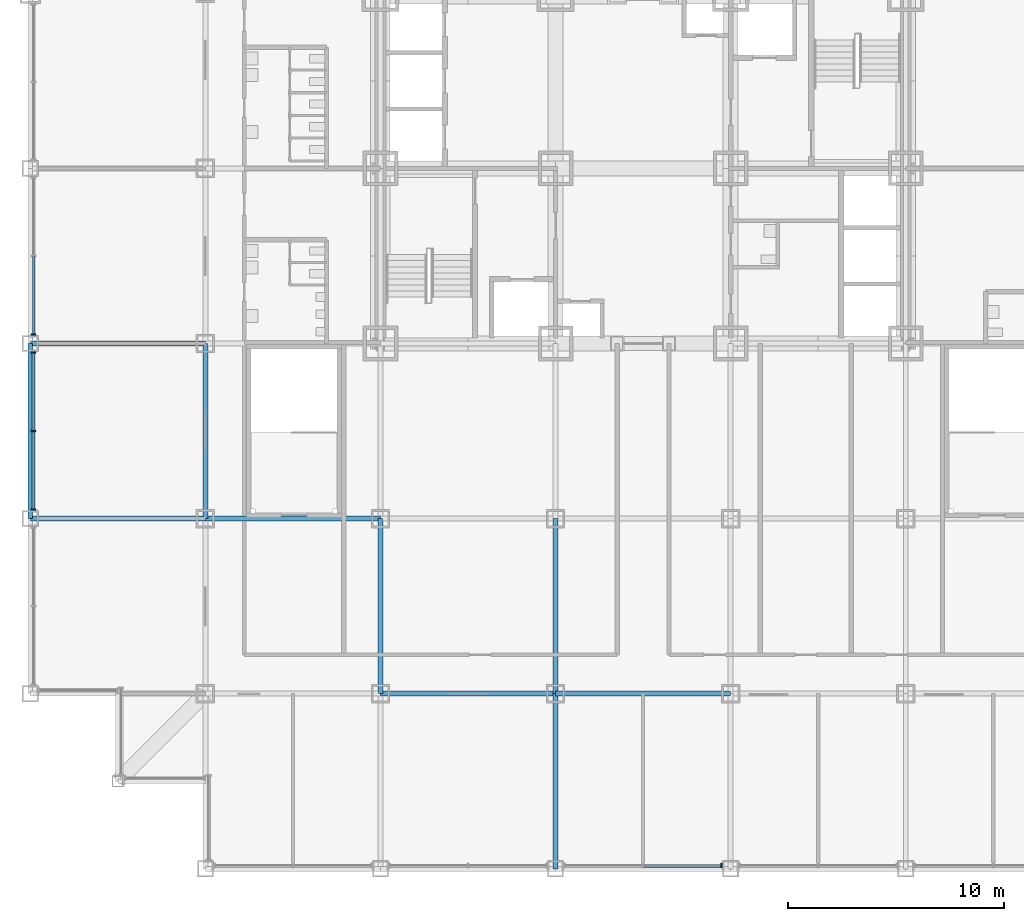
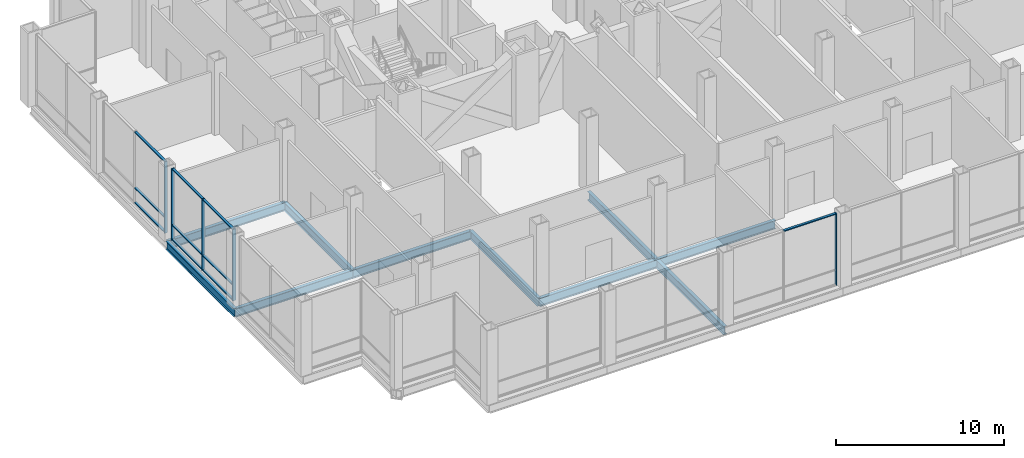
# One storey, part 3 of 18: 15 members, 10 beams, 3 elements without a shape of their own.
"""IFC4 building model written with IfcOpenShell, lengths in metres."""

from ifc_helpers import new_model, si_unit, direction, frame, origin, origin_2d, place, context, subcontext, project, spatial, rectangle, i_section, extrude, material, material_profile, profile_set, type_object, element, aggregate, save


model = new_model("IFC4")

# Units and contexts
model_context = context("Model", 3, precision=1e-05, world=origin(), true_north=direction((0.0, 1.0)))
body_context = subcontext(model_context, "Body", "Model", "MODEL_VIEW")
ifc_project = project(units=[si_unit("LENGTHUNIT", "METRE"), si_unit("AREAUNIT", "SQUARE_METRE"), si_unit("VOLUMEUNIT", "CUBIC_METRE"), si_unit("PLANEANGLEUNIT", "RADIAN"), si_unit("MASSUNIT", "GRAM", prefix="KILO")], contexts=[model_context])

# Site, building, storey
site_placement = place(None, origin())
site = spatial("IfcSite", under=ifc_project, at=site_placement, CompositionType="ELEMENT")
building_placement = place(site_placement, origin())
building = spatial("IfcBuilding", under=site, at=building_placement, Name="Kopane Lantern Tower", CompositionType="ELEMENT")
storey_placement = place(building_placement, frame((0.0, 0.0, 22.199951171875)))
storey = spatial("IfcBuildingStorey", under=building, at=storey_placement, Name="L04", CompositionType="ELEMENT", Elevation=22.199951171875)

# Beams
ifc_material_1 = material(Name="Steel S355JR", Category="steel")
ifc_material_profile_1 = material_profile(ifc_material_1, i_section(OverallWidth=0.22900390625, OverallDepth=0.6123046875, WebThickness=0.011962890625, FlangeThickness=0.01953125, FilletRadius=0.0126953125, at=origin_2d()), Name="UB 610x229x125")
ifc_profile_set_1 = profile_set([ifc_material_profile_1], Name="Steel S355JR")
beam_type = type_object("IfcBeamType", Name="GIRDER UB 610x229x125", PredefinedType="BEAM", material=ifc_profile_set_1)
for number, where, z_axis, x_axis, name in (
    (1, (0.0, 16.199951171875, -0.55615234375), (0.0, 1.0, 0.0), (-1.0, 0.0, 0.0), "Girder L04"),
    (2, (0.0, 16.199951171875, -0.55615234375), (1.0, 0.0, 0.0), (0.0, 1.0, 0.0), "Girder L04"),
    (3, (0.0, 24.300048828125, -0.55615234375), (1.0, 0.0, 0.0), (0.0, 1.0, 0.0), "Girder L04"),
    (4, (8.10009765625, 16.199951171875, -0.55615234375), (0.0, 1.0, 0.0), (-1.0, 0.0, 0.0), "Girder L04"),
):
    element("IfcBeam", number, at=place(storey_placement, frame(where, z_axis=z_axis, x_axis=x_axis)), inside=storey, type_object=beam_type, Name=name, PredefinedType="BEAM", context=body_context, shape_type="SweptSolid", body=[
        extrude(i_section(OverallWidth=0.22900390625, OverallDepth=0.6123046875, WebThickness=0.011962890625, FlangeThickness=0.01953125, FilletRadius=0.0126953125, at=origin_2d()), origin(), (0.0, 0.0, 1.0), 8.10009765625),
    ])
for number, where, z_axis, x_axis, name in (
    (5, (8.10009765625, 16.199951171875, -0.55615234375), (1.0, 0.0, 0.0), (0.0, 1.0, 0.0), "Girder L04"),
    (6, (16.199951171875, 8.10009765625, -0.55615234375), (0.0, 1.0, 0.0), (-1.0, 0.0, 0.0), "Girder L04"),
):
    element("IfcBeam", number, at=place(storey_placement, frame(where, z_axis=z_axis, x_axis=x_axis)), inside=storey, type_object=beam_type, Name=name, PredefinedType="BEAM", context=body_context, shape_type="SweptSolid", body=[
        extrude(i_section(OverallWidth=0.22900390625, OverallDepth=0.6123046875, WebThickness=0.011962890625, FlangeThickness=0.01953125, FilletRadius=0.0126953125, at=origin_2d()), origin(), (0.0, 0.0, 1.0), 8.099853515625),
    ])
for number, where, z_axis, x_axis, name in (
    (7, (16.199951171875, 8.10009765625, -0.55615234375), (1.0, 0.0, 0.0), (0.0, 1.0, 0.0), "Girder L04"),
    (8, (24.300048828125, 0.0, -0.55615234375), (0.0, 1.0, 0.0), (-1.0, 0.0, 0.0), "Girder L04"),
):
    element("IfcBeam", number, at=place(storey_placement, frame(where, z_axis=z_axis, x_axis=x_axis)), inside=storey, type_object=beam_type, Name=name, PredefinedType="BEAM", context=body_context, shape_type="SweptSolid", body=[
        extrude(i_section(OverallWidth=0.22900390625, OverallDepth=0.6123046875, WebThickness=0.011962890625, FlangeThickness=0.01953125, FilletRadius=0.0126953125, at=origin_2d()), origin(), (0.0, 0.0, 1.0), 8.10009765625),
    ])
for number, where, z_axis, x_axis, name in (
    (9, (24.300048828125, 8.10009765625, -0.55615234375), (0.0, 1.0, 0.0), (-1.0, 0.0, 0.0), "Girder L04"),
    (10, (24.300048828125, 8.10009765625, -0.55615234375), (1.0, 0.0, 0.0), (0.0, 1.0, 0.0), "Girder L04"),
):
    element("IfcBeam", number, at=place(storey_placement, frame(where, z_axis=z_axis, x_axis=x_axis)), inside=storey, type_object=beam_type, Name=name, PredefinedType="BEAM", context=body_context, shape_type="SweptSolid", body=[
        extrude(i_section(OverallWidth=0.22900390625, OverallDepth=0.6123046875, WebThickness=0.011962890625, FlangeThickness=0.01953125, FilletRadius=0.0126953125, at=origin_2d()), origin(), (0.0, 0.0, 1.0), 8.099853515625),
    ])

# Curtain wall, member
ifc_material_2 = material(Name="Aluminium and clear glass", Category="aluminium")
curtain_wall_type = type_object("IfcCurtainWallType", Name="CURTAIN WALL CW3 SKY LOBBY", PredefinedType="USERDEFINED", material=ifc_material_2)
curtain_wall_1_placement = place(storey_placement, origin())
curtain_wall_1 = element("IfcCurtainWall", 11, at=curtain_wall_1_placement, inside=storey, type_object=curtain_wall_type, Name="Curtain wall CW3 S L04", ObjectType="CURTAIN WALL", PredefinedType="USERDEFINED")
ifc_material_3 = material(Name="Aluminium", Category="aluminium")
ifc_material_profile_2 = material_profile(ifc_material_3, rectangle(XDim=0.070068359375, YDim=0.22509765625, at=origin_2d()), Name="AL 70x225")
ifc_profile_set_2 = profile_set([ifc_material_profile_2], Name="Aluminium")
member_type_1 = type_object("IfcMemberType", Name="MULLION CW3-M 70x225", PredefinedType="MULLION", material=ifc_profile_set_2)
member_1_placement = place(storey_placement, frame((31.985107421875, 0.14990234375, 0.0), z_axis=(0.0, 0.0, 1.0), x_axis=(1.0, 0.0, 0.0)))
member_1 = element("IfcMember", 12, at=member_1_placement, type_object=member_type_1, Name="CW3 mullion 3", PredefinedType="MULLION", context=body_context, shape_type="SweptSolid", body=[
    extrude(rectangle(XDim=0.070068359375, YDim=0.22509765625, at=origin_2d()), origin(), (0.0, 0.0, 1.0), 5.18994140625),
])

curtain_wall_2_placement = place(storey_placement, origin())
curtain_wall_2 = element("IfcCurtainWall", 13, at=curtain_wall_2_placement, inside=storey, type_object=curtain_wall_type, Name="Curtain wall CW3 W L04", ObjectType="CURTAIN WALL", PredefinedType="USERDEFINED")
member_2_placement = place(storey_placement, frame((0.14990234375, 24.715087890625, 0.0), z_axis=(0.0, 0.0, 1.0), x_axis=(0.0, -1.0, 0.0)))
member_2 = element("IfcMember", 14, at=member_2_placement, type_object=member_type_1, Name="CW3 mullion 3", PredefinedType="MULLION", context=body_context, shape_type="SweptSolid", body=[
    extrude(rectangle(XDim=0.070068359375, YDim=0.22509765625, at=origin_2d()), origin(), (0.0, 0.0, 1.0), 5.18994140625),
])

# Curtain wall, members
curtain_wall_3_placement = place(storey_placement, origin())
curtain_wall_3 = element("IfcCurtainWall", 15, at=curtain_wall_3_placement, inside=storey, type_object=curtain_wall_type, Name="Curtain wall CW3 W L04", ObjectType="CURTAIN WALL", PredefinedType="USERDEFINED")
member_3_placement = place(storey_placement, frame((0.14990234375, 23.885009765625, 0.0), z_axis=(0.0, 0.0, 1.0), x_axis=(0.0, -1.0, 0.0)))
member_3 = element("IfcMember", 16, at=member_3_placement, type_object=member_type_1, Name="CW3 mullion 1", PredefinedType="MULLION", context=body_context, shape_type="SweptSolid", body=[
    extrude(rectangle(XDim=0.070068359375, YDim=0.22509765625, at=origin_2d()), origin(), (0.0, 0.0, 1.0), 5.18994140625),
])
member_4_placement = place(storey_placement, frame((0.14990234375, 20.25, 0.0), z_axis=(0.0, 0.0, 1.0), x_axis=(0.0, -1.0, 0.0)))
member_4 = element("IfcMember", 17, at=member_4_placement, type_object=member_type_1, Name="CW3 mullion 2", PredefinedType="MULLION", context=body_context, shape_type="SweptSolid", body=[
    extrude(rectangle(XDim=0.070068359375, YDim=0.22509765625, at=origin_2d()), origin(), (0.0, 0.0, 1.0), 5.18994140625),
])
member_5_placement = place(storey_placement, frame((0.14990234375, 16.614990234375, 0.0), z_axis=(0.0, 0.0, 1.0), x_axis=(0.0, -1.0, 0.0)))
member_5 = element("IfcMember", 18, at=member_5_placement, type_object=member_type_1, Name="CW3 mullion 3", PredefinedType="MULLION", context=body_context, shape_type="SweptSolid", body=[
    extrude(rectangle(XDim=0.070068359375, YDim=0.22509765625, at=origin_2d()), origin(), (0.0, 0.0, 1.0), 5.18994140625),
])

# Member
ifc_material_4 = material(Name="Aluminium", Category="aluminium")
ifc_material_profile_3 = material_profile(ifc_material_4, rectangle(XDim=0.159912109375, YDim=0.070068359375, at=origin_2d()), Name="AL 160x70")
ifc_profile_set_3 = profile_set([ifc_material_profile_3], Name="Aluminium")
member_type_2 = type_object("IfcMemberType", Name="TRANSOM CW3-T 70x160", PredefinedType="USERDEFINED", material=ifc_profile_set_3)
member_6_placement = place(storey_placement, frame((28.385009765625, 0.14990234375, 5.155029296875), z_axis=(1.0, 0.0, 0.0), x_axis=(0.0, 1.0, 0.0)))
member_6 = element("IfcMember", 19, at=member_6_placement, type_object=member_type_2, Name="CW3 transom 2.3", ObjectType="TRANSOM", PredefinedType="USERDEFINED", context=body_context, shape_type="SweptSolid", body=[
    extrude(rectangle(XDim=0.159912109375, YDim=0.070068359375, at=origin_2d()), origin(), (0.0, 0.0, 1.0), 3.56494140625),
])

aggregate(curtain_wall_1, [member_1, member_6])

member_7_placement = place(storey_placement, frame((0.14990234375, 28.31494140625, 0.03515625), z_axis=(0.0, -1.0, 0.0), x_axis=(1.0, 0.0, 0.0)))
member_7 = element("IfcMember", 20, at=member_7_placement, type_object=member_type_2, Name="CW3 transom 2.1", ObjectType="TRANSOM", PredefinedType="USERDEFINED", context=body_context, shape_type="SweptSolid", body=[
    extrude(rectangle(XDim=0.159912109375, YDim=0.070068359375, at=origin_2d()), origin(), (0.0, 0.0, 1.0), 3.56494140625),
])

member_8_placement = place(storey_placement, frame((0.14990234375, 28.31494140625, 1.10009765625), z_axis=(0.0, -1.0, 0.0), x_axis=(1.0, 0.0, 0.0)))
member_8 = element("IfcMember", 21, at=member_8_placement, type_object=member_type_2, Name="CW3 transom 2.2", ObjectType="TRANSOM", PredefinedType="USERDEFINED", context=body_context, shape_type="SweptSolid", body=[
    extrude(rectangle(XDim=0.159912109375, YDim=0.070068359375, at=origin_2d()), origin(), (0.0, 0.0, 1.0), 3.56494140625),
])

member_9_placement = place(storey_placement, frame((0.14990234375, 28.31494140625, 5.155029296875), z_axis=(0.0, -1.0, 0.0), x_axis=(1.0, 0.0, 0.0)))
member_9 = element("IfcMember", 22, at=member_9_placement, type_object=member_type_2, Name="CW3 transom 2.3", ObjectType="TRANSOM", PredefinedType="USERDEFINED", context=body_context, shape_type="SweptSolid", body=[
    extrude(rectangle(XDim=0.159912109375, YDim=0.070068359375, at=origin_2d()), origin(), (0.0, 0.0, 1.0), 3.56494140625),
])

aggregate(curtain_wall_2, [member_2, member_7, member_8, member_9])

member_10_placement = place(storey_placement, frame((0.14990234375, 23.85009765625, 0.03515625), z_axis=(0.0, -1.0, 0.0), x_axis=(1.0, 0.0, 0.0)))
member_10 = element("IfcMember", 23, at=member_10_placement, type_object=member_type_2, Name="CW3 transom 1.1", ObjectType="TRANSOM", PredefinedType="USERDEFINED", context=body_context, shape_type="SweptSolid", body=[
    extrude(rectangle(XDim=0.159912109375, YDim=0.070068359375, at=origin_2d()), origin(), (0.0, 0.0, 1.0), 3.565185546875),
])

member_11_placement = place(storey_placement, frame((0.14990234375, 23.85009765625, 1.10009765625), z_axis=(0.0, -1.0, 0.0), x_axis=(1.0, 0.0, 0.0)))
member_11 = element("IfcMember", 24, at=member_11_placement, type_object=member_type_2, Name="CW3 transom 1.2", ObjectType="TRANSOM", PredefinedType="USERDEFINED", context=body_context, shape_type="SweptSolid", body=[
    extrude(rectangle(XDim=0.159912109375, YDim=0.070068359375, at=origin_2d()), origin(), (0.0, 0.0, 1.0), 3.565185546875),
])

member_12_placement = place(storey_placement, frame((0.14990234375, 23.85009765625, 5.155029296875), z_axis=(0.0, -1.0, 0.0), x_axis=(1.0, 0.0, 0.0)))
member_12 = element("IfcMember", 25, at=member_12_placement, type_object=member_type_2, Name="CW3 transom 1.3", ObjectType="TRANSOM", PredefinedType="USERDEFINED", context=body_context, shape_type="SweptSolid", body=[
    extrude(rectangle(XDim=0.159912109375, YDim=0.070068359375, at=origin_2d()), origin(), (0.0, 0.0, 1.0), 3.565185546875),
])

member_13_placement = place(storey_placement, frame((0.14990234375, 20.215087890625, 0.03515625), z_axis=(0.0, -1.0, 0.0), x_axis=(1.0, 0.0, 0.0)))
member_13 = element("IfcMember", 26, at=member_13_placement, type_object=member_type_2, Name="CW3 transom 2.1", ObjectType="TRANSOM", PredefinedType="USERDEFINED", context=body_context, shape_type="SweptSolid", body=[
    extrude(rectangle(XDim=0.159912109375, YDim=0.070068359375, at=origin_2d()), origin(), (0.0, 0.0, 1.0), 3.565185546875),
])

member_14_placement = place(storey_placement, frame((0.14990234375, 20.215087890625, 1.10009765625), z_axis=(0.0, -1.0, 0.0), x_axis=(1.0, 0.0, 0.0)))
member_14 = element("IfcMember", 27, at=member_14_placement, type_object=member_type_2, Name="CW3 transom 2.2", ObjectType="TRANSOM", PredefinedType="USERDEFINED", context=body_context, shape_type="SweptSolid", body=[
    extrude(rectangle(XDim=0.159912109375, YDim=0.070068359375, at=origin_2d()), origin(), (0.0, 0.0, 1.0), 3.565185546875),
])

member_15_placement = place(storey_placement, frame((0.14990234375, 20.215087890625, 5.155029296875), z_axis=(0.0, -1.0, 0.0), x_axis=(1.0, 0.0, 0.0)))
member_15 = element("IfcMember", 28, at=member_15_placement, type_object=member_type_2, Name="CW3 transom 2.3", ObjectType="TRANSOM", PredefinedType="USERDEFINED", context=body_context, shape_type="SweptSolid", body=[
    extrude(rectangle(XDim=0.159912109375, YDim=0.070068359375, at=origin_2d()), origin(), (0.0, 0.0, 1.0), 3.565185546875),
])

aggregate(curtain_wall_3, [member_3, member_4, member_5, member_10, member_11, member_12, member_13, member_14, member_15])

save(model, "model.ifc")
